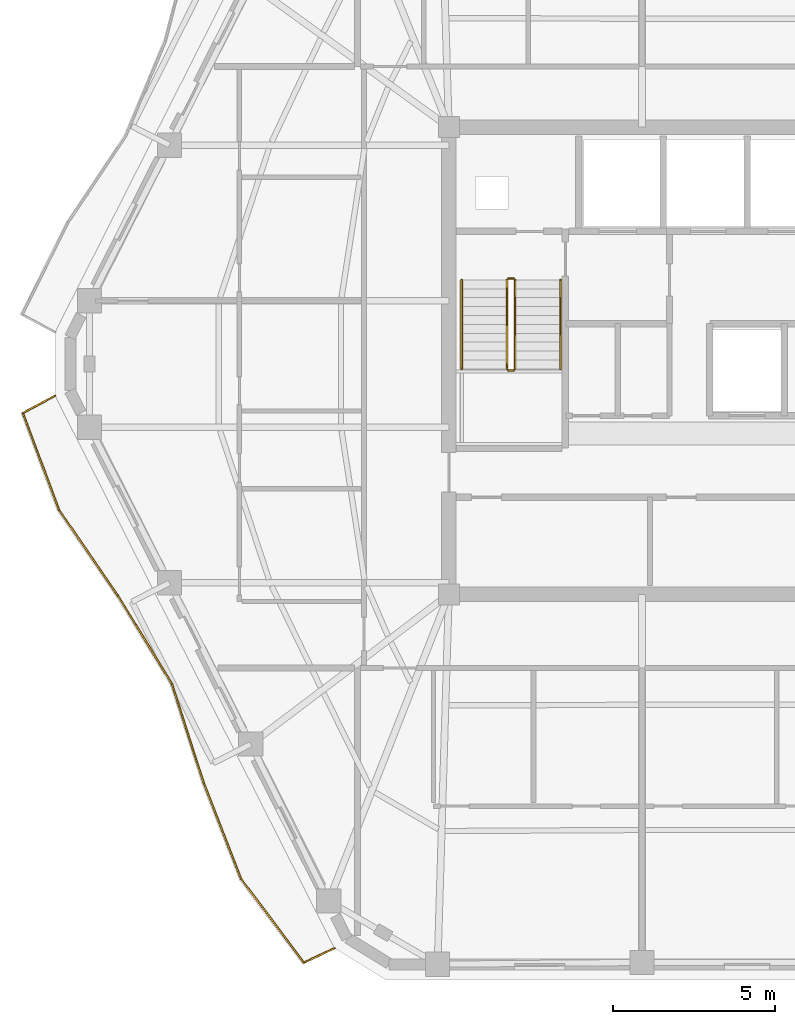
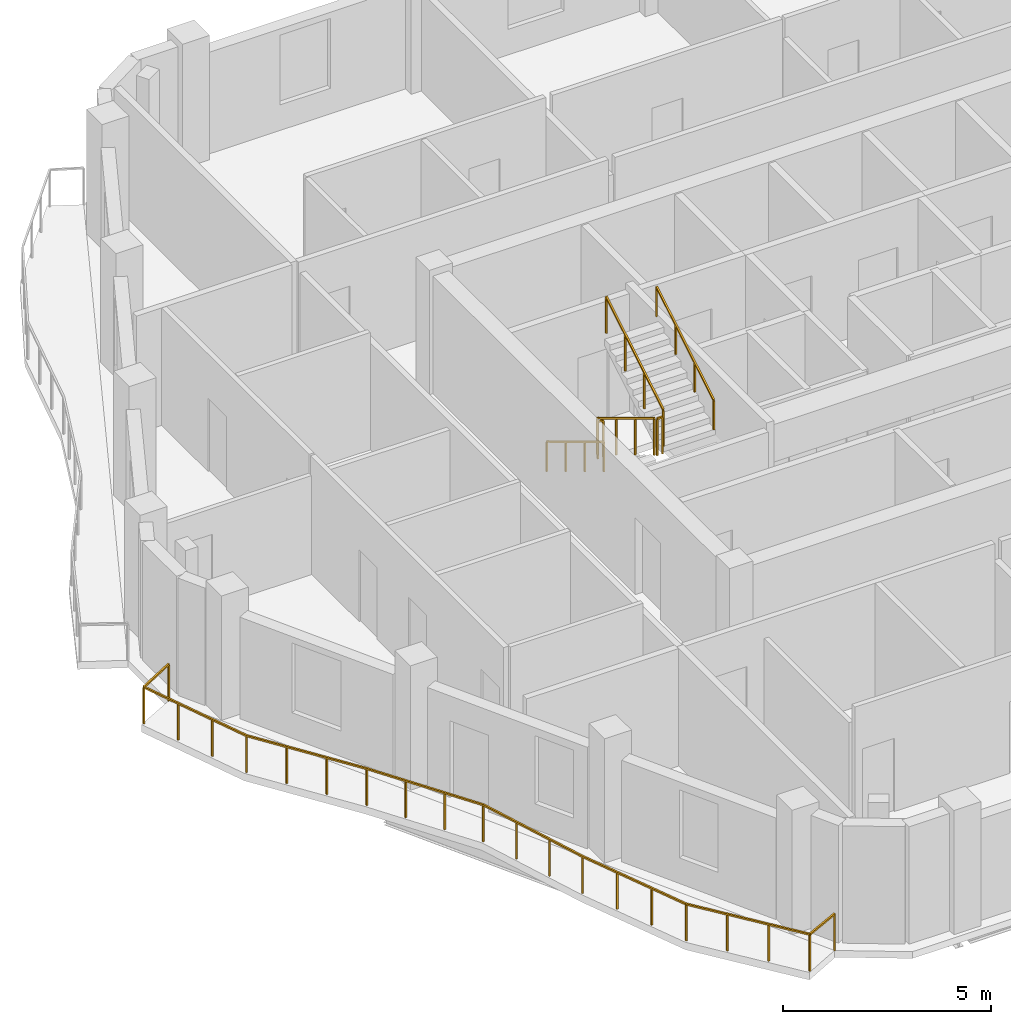
# One storey, part 9 of 12: 7 railings.
"""IFC4 building model written with IfcOpenShell, lengths in metres."""

from ifc_helpers import new_model, si_unit, direction, frame, origin, origin_2d, place, context, subcontext, project, spatial, rectangle, extrude, material, type_object, element, save


model = new_model("IFC4")

# Units and contexts
model_context = context("Model", 3, precision=1e-05, world=origin(), true_north=direction((0.0, 1.0)))
body_context = subcontext(model_context, "Body", "Model", "MODEL_VIEW")
ifc_project = project(units=[si_unit("LENGTHUNIT", "METRE"), si_unit("AREAUNIT", "SQUARE_METRE"), si_unit("VOLUMEUNIT", "CUBIC_METRE"), si_unit("PLANEANGLEUNIT", "RADIAN"), si_unit("MASSUNIT", "GRAM", prefix="KILO")], contexts=[model_context])

# Site, building, storey
site_placement = place(None, origin())
site = spatial("IfcSite", under=ifc_project, at=site_placement, CompositionType="ELEMENT")
building_placement = place(site_placement, origin())
building = spatial("IfcBuilding", under=site, at=building_placement, Name="Cinnabar Lancet Tower", CompositionType="ELEMENT")
storey_placement = place(building_placement, frame((0.0, 0.0, 237.949951171875)))
storey = spatial("IfcBuildingStorey", under=building, at=storey_placement, Name="L63", CompositionType="ELEMENT", Elevation=237.949951171875)

# Railings
ifc_material_1 = material(Name="Laminated safety glass and bronze stainless steel balustrade", Category="steel")
railing_type_1 = type_object("IfcRailingType", Name="ENV-RLG-BAL-1100", PredefinedType="BALUSTRADE", material=ifc_material_1)
railing_1_placement = place(storey_placement, frame((10.9970703125, 24.818115234375, 0.0)))
element("IfcRailing", 1, at=railing_1_placement, inside=storey, type_object=railing_type_1, Name="L63 Face 6 Wave Balcony Balustrade", PredefinedType="BALUSTRADE", context=body_context, shape_type="SweptSolid", body=[
    extrude(rectangle(XDim=0.048095703125, YDim=0.048095703125, at=origin_2d()), frame((0.0, 0.0, 1.076171875), z_axis=(-0.881248218897, -0.47265375984, 0.0), x_axis=(0.47265375984, -0.881248218897, 0.0)), (0.0, 0.0, 1.0), 1.128173828125),
    extrude(rectangle(XDim=0.048095703125, YDim=0.048095703125, at=origin_2d()), frame((-0.994140625, -0.533203125, 1.076171875), z_axis=(0.349250820679, -0.937029276093, 0.0), x_axis=(0.937029276093, 0.349250820679, 0.0)), (0.0, 0.0, 1.0), 3.20166015625),
    extrude(rectangle(XDim=0.048095703125, YDim=0.048095703125, at=origin_2d()), frame((0.1240234375, -3.533203125, 1.076171875), z_axis=(0.566122183007, -0.824321341412, 0.0), x_axis=(0.824321341412, 0.566122183007, 0.0)), (0.0, 0.0, 1.0), 3.211181640625),
    extrude(rectangle(XDim=0.048095703125, YDim=0.048095703125, at=origin_2d()), frame((1.94189453125, -6.18017578125, 1.076171875), z_axis=(0.523123608869, -0.85225682153, 0.0), x_axis=(0.85225682153, 0.523123608869, 0.0)), (0.0, 0.0, 1.0), 3.1904296875),
    extrude(rectangle(XDim=0.048095703125, YDim=0.048095703125, at=origin_2d()), frame((3.61083984375, -8.899169921875, 1.076171875), z_axis=(0.305268035903, -0.952266468094, 0.0), x_axis=(0.952266468094, 0.305268035903, 0.0)), (0.0, 0.0, 1.0), 3.220703125),
    extrude(rectangle(XDim=0.048095703125, YDim=0.048095703125, at=origin_2d()), frame((4.593994140625, -11.966064453125, 1.076171875), z_axis=(0.363094726832, -0.931752230664, 0.0), x_axis=(0.931752230664, 0.363094726832, 0.0)), (0.0, 0.0, 1.0), 3.197265625),
    extrude(rectangle(XDim=0.048095703125, YDim=0.048095703125, at=origin_2d()), frame((5.7548828125, -14.945068359375, 1.076171875), z_axis=(0.600821422893, -0.799383273401, 0.0), x_axis=(0.799383273401, 0.600821422893, 0.0)), (0.0, 0.0, 1.0), 3.232421875),
    extrude(rectangle(XDim=0.048095703125, YDim=0.048095703125, at=origin_2d()), frame((7.697021484375, -17.529052734375, 1.076171875), z_axis=(0.905464555659, 0.42442188733, 0.0), x_axis=(-0.42442188733, 0.905464555659, 0.0)), (0.0, 0.0, 1.0), 1.04345703125),
    extrude(rectangle(XDim=0.0419921875, YDim=0.0419921875, at=origin_2d()), origin(), (0.0, 0.0, 1.0), 1.052001953125),
    extrude(rectangle(XDim=0.0419921875, YDim=0.0419921875, at=origin_2d()), frame((-0.994140625, -0.533203125, 0.0)), (0.0, 0.0, 1.0), 1.052001953125),
    extrude(rectangle(XDim=0.0419921875, YDim=0.0419921875, at=origin_2d()), frame((-0.621337890625, -1.533203125, 0.0)), (0.0, 0.0, 1.0), 1.052001953125),
    extrude(rectangle(XDim=0.0419921875, YDim=0.0419921875, at=origin_2d()), frame((-0.248779296875, -2.533203125, 0.0)), (0.0, 0.0, 1.0), 1.052001953125),
    extrude(rectangle(XDim=0.0419921875, YDim=0.0419921875, at=origin_2d()), frame((0.1240234375, -3.533203125, 0.0)), (0.0, 0.0, 1.0), 1.052001953125),
    extrude(rectangle(XDim=0.0419921875, YDim=0.0419921875, at=origin_2d()), frame((0.72998046875, -4.41552734375, 0.0)), (0.0, 0.0, 1.0), 1.052001953125),
    extrude(rectangle(XDim=0.0419921875, YDim=0.0419921875, at=origin_2d()), frame((1.3359375, -5.2978515625, 0.0)), (0.0, 0.0, 1.0), 1.052001953125),
    extrude(rectangle(XDim=0.0419921875, YDim=0.0419921875, at=origin_2d()), frame((1.94189453125, -6.18017578125, 0.0)), (0.0, 0.0, 1.0), 1.052001953125),
    extrude(rectangle(XDim=0.0419921875, YDim=0.0419921875, at=origin_2d()), frame((2.498291015625, -7.08642578125, 0.0)), (0.0, 0.0, 1.0), 1.052001953125),
    extrude(rectangle(XDim=0.0419921875, YDim=0.0419921875, at=origin_2d()), frame((3.054443359375, -7.992919921875, 0.0)), (0.0, 0.0, 1.0), 1.052001953125),
    extrude(rectangle(XDim=0.0419921875, YDim=0.0419921875, at=origin_2d()), frame((3.61083984375, -8.899169921875, 0.0)), (0.0, 0.0, 1.0), 1.052001953125),
    extrude(rectangle(XDim=0.0419921875, YDim=0.0419921875, at=origin_2d()), frame((3.9384765625, -9.92138671875, 0.0)), (0.0, 0.0, 1.0), 1.052001953125),
    extrude(rectangle(XDim=0.0419921875, YDim=0.0419921875, at=origin_2d()), frame((4.266357421875, -10.94384765625, 0.0)), (0.0, 0.0, 1.0), 1.052001953125),
    extrude(rectangle(XDim=0.0419921875, YDim=0.0419921875, at=origin_2d()), frame((4.593994140625, -11.966064453125, 0.0)), (0.0, 0.0, 1.0), 1.052001953125),
    extrude(rectangle(XDim=0.0419921875, YDim=0.0419921875, at=origin_2d()), frame((4.98095703125, -12.958984375, 0.0)), (0.0, 0.0, 1.0), 1.052001953125),
    extrude(rectangle(XDim=0.0419921875, YDim=0.0419921875, at=origin_2d()), frame((5.367919921875, -13.9521484375, 0.0)), (0.0, 0.0, 1.0), 1.052001953125),
    extrude(rectangle(XDim=0.0419921875, YDim=0.0419921875, at=origin_2d()), frame((5.7548828125, -14.945068359375, 0.0)), (0.0, 0.0, 1.0), 1.052001953125),
    extrude(rectangle(XDim=0.0419921875, YDim=0.0419921875, at=origin_2d()), frame((6.40234375, -15.806396484375, 0.0)), (0.0, 0.0, 1.0), 1.052001953125),
    extrude(rectangle(XDim=0.0419921875, YDim=0.0419921875, at=origin_2d()), frame((7.049560546875, -16.667724609375, 0.0)), (0.0, 0.0, 1.0), 1.052001953125),
    extrude(rectangle(XDim=0.0419921875, YDim=0.0419921875, at=origin_2d()), frame((7.697021484375, -17.529052734375, 0.0)), (0.0, 0.0, 1.0), 1.052001953125),
    extrude(rectangle(XDim=0.0419921875, YDim=0.0419921875, at=origin_2d()), frame((8.641845703125, -17.086181640625, 0.0)), (0.0, 0.0, 1.0), 1.052001953125),
])
ifc_material_2 = material(Name="Painted galvanized steel balustrade", Category="steel")
railing_type_2 = type_object("IfcRailingType", Name="GUARD-STAIR", PredefinedType="GUARDRAIL", material=ifc_material_2)
railing_2_placement = place(storey_placement, frame((24.97509765625, 28.39990234375, 0.166015625)))
element("IfcRailing", 2, at=railing_2_placement, inside=storey, type_object=railing_type_2, Name="L63 ST-1 stair guard 1", PredefinedType="GUARDRAIL", context=body_context, shape_type="SweptSolid", body=[
    extrude(rectangle(XDim=0.048095703125, YDim=0.048095703125, at=origin_2d()), frame((0.0, 0.0, 1.076171875), z_axis=(0.0, -0.856263023582, 0.516540060834), x_axis=(1.0, 0.0, 0.0)), (0.0, 0.0, 1.0), 3.211669921875),
    extrude(rectangle(XDim=0.0419921875, YDim=0.0419921875, at=origin_2d()), origin(), (0.0, 0.0, 1.0), 1.052001953125),
    extrude(rectangle(XDim=0.0419921875, YDim=0.0419921875, at=origin_2d()), frame((0.0, -0.916748046875, 0.552978515625)), (0.0, 0.0, 1.0), 1.052001953125),
    extrude(rectangle(XDim=0.0419921875, YDim=0.0419921875, at=origin_2d()), frame((0.0, -1.833251953125, 1.10595703125)), (0.0, 0.0, 1.0), 1.052001953125),
    extrude(rectangle(XDim=0.0419921875, YDim=0.0419921875, at=origin_2d()), frame((0.0, -2.75, 1.658935546875)), (0.0, 0.0, 1.0), 1.052001953125),
])
railing_3_placement = place(storey_placement, frame((25.02490234375, 25.60009765625, 1.824951171875)))
element("IfcRailing", 3, at=railing_3_placement, inside=storey, type_object=railing_type_2, Name="L63 ST-1 stair guard 2", PredefinedType="GUARDRAIL", context=body_context, shape_type="SweptSolid", body=[
    extrude(rectangle(XDim=0.048095703125, YDim=0.048095703125, at=origin_2d()), frame((0.0, 0.0, 1.076171875), z_axis=(1.0, 0.0, 0.0), x_axis=(0.0, 1.0, 0.0)), (0.0, 0.0, 1.0), 0.150146484375),
    extrude(rectangle(XDim=0.0419921875, YDim=0.0419921875, at=origin_2d()), origin(), (0.0, 0.0, 1.0), 1.052001953125),
    extrude(rectangle(XDim=0.0419921875, YDim=0.0419921875, at=origin_2d()), frame((0.150146484375, 0.0, 0.0)), (0.0, 0.0, 1.0), 1.052001953125),
])
railing_4_placement = place(storey_placement, frame((25.22509765625, 25.64990234375, 1.990966796875)))
element("IfcRailing", 4, at=railing_4_placement, inside=storey, type_object=railing_type_2, Name="L63 ST-1 stair guard 3", PredefinedType="GUARDRAIL", context=body_context, shape_type="SweptSolid", body=[
    extrude(rectangle(XDim=0.048095703125, YDim=0.048095703125, at=origin_2d()), frame((0.0, 0.0, 1.076171875), z_axis=(0.0, 0.856229400918, 0.51659579267), x_axis=(-1.0, 0.0, 0.0)), (0.0, 0.0, 1.0), 3.211669921875),
    extrude(rectangle(XDim=0.0419921875, YDim=0.0419921875, at=origin_2d()), origin(), (0.0, 0.0, 1.0), 1.052001953125),
    extrude(rectangle(XDim=0.0419921875, YDim=0.0419921875, at=origin_2d()), frame((0.0, 0.916748046875, 0.552978515625)), (0.0, 0.0, 1.0), 1.052001953125),
    extrude(rectangle(XDim=0.0419921875, YDim=0.0419921875, at=origin_2d()), frame((0.0, 1.833251953125, 1.106201171875)), (0.0, 0.0, 1.0), 1.052001953125),
    extrude(rectangle(XDim=0.0419921875, YDim=0.0419921875, at=origin_2d()), frame((0.0, 2.75, 1.6591796875)), (0.0, 0.0, 1.0), 1.052001953125),
])
railing_5_placement = place(storey_placement, frame((25.02490234375, 28.449951171875, 0.0)))
element("IfcRailing", 5, at=railing_5_placement, inside=storey, type_object=railing_type_2, Name="L63 ST-1 stair guard 4", PredefinedType="GUARDRAIL", context=body_context, shape_type="SweptSolid", body=[
    extrude(rectangle(XDim=0.048095703125, YDim=0.048095703125, at=origin_2d()), frame((0.0, 0.0, 1.076171875), z_axis=(1.0, 0.0, 0.0), x_axis=(0.0, 1.0, 0.0)), (0.0, 0.0, 1.0), 0.150146484375),
    extrude(rectangle(XDim=0.0419921875, YDim=0.0419921875, at=origin_2d()), origin(), (0.0, 0.0, 1.0), 1.052001953125),
    extrude(rectangle(XDim=0.0419921875, YDim=0.0419921875, at=origin_2d()), frame((0.150146484375, 0.0, 0.0)), (0.0, 0.0, 1.0), 1.052001953125),
])
ifc_material_3 = material(Name="Brushed stainless steel handrail", Category="steel")
railing_type_3 = type_object("IfcRailingType", Name="HANDRAIL-STAIR", PredefinedType="HANDRAIL", material=ifc_material_3)
railing_6_placement = place(storey_placement, frame((23.574951171875, 28.39990234375, 0.166015625)))
element("IfcRailing", 6, at=railing_6_placement, inside=storey, type_object=railing_type_3, Name="L63 ST-1 stair handrail 1", PredefinedType="HANDRAIL", context=body_context, shape_type="SweptSolid", body=[
    extrude(rectangle(XDim=0.048095703125, YDim=0.048095703125, at=origin_2d()), frame((0.0, 0.0, 0.8759765625), z_axis=(0.0, -0.856263023582, 0.516540060834), x_axis=(1.0, 0.0, 0.0)), (0.0, 0.0, 1.0), 3.211669921875),
    extrude(rectangle(XDim=0.0419921875, YDim=0.0419921875, at=origin_2d()), origin(), (0.0, 0.0, 1.0), 0.851806640625),
    extrude(rectangle(XDim=0.0419921875, YDim=0.0419921875, at=origin_2d()), frame((0.0, -0.916748046875, 0.552978515625)), (0.0, 0.0, 1.0), 0.851806640625),
    extrude(rectangle(XDim=0.0419921875, YDim=0.0419921875, at=origin_2d()), frame((0.0, -1.833251953125, 1.10595703125)), (0.0, 0.0, 1.0), 0.851806640625),
    extrude(rectangle(XDim=0.0419921875, YDim=0.0419921875, at=origin_2d()), frame((0.0, -2.75, 1.658935546875)), (0.0, 0.0, 1.0), 0.851806640625),
])
railing_7_placement = place(storey_placement, frame((26.625, 25.64990234375, 1.990966796875)))
element("IfcRailing", 7, at=railing_7_placement, inside=storey, type_object=railing_type_3, Name="L63 ST-1 stair handrail 2", PredefinedType="HANDRAIL", context=body_context, shape_type="SweptSolid", body=[
    extrude(rectangle(XDim=0.048095703125, YDim=0.048095703125, at=origin_2d()), frame((0.0, 0.0, 0.8759765625), z_axis=(0.0, 0.856229400918, 0.51659579267), x_axis=(-1.0, 0.0, 0.0)), (0.0, 0.0, 1.0), 3.211669921875),
    extrude(rectangle(XDim=0.0419921875, YDim=0.0419921875, at=origin_2d()), origin(), (0.0, 0.0, 1.0), 0.851806640625),
    extrude(rectangle(XDim=0.0419921875, YDim=0.0419921875, at=origin_2d()), frame((0.0, 0.916748046875, 0.552978515625)), (0.0, 0.0, 1.0), 0.851806640625),
    extrude(rectangle(XDim=0.0419921875, YDim=0.0419921875, at=origin_2d()), frame((0.0, 1.833251953125, 1.106201171875)), (0.0, 0.0, 1.0), 0.851806640625),
    extrude(rectangle(XDim=0.0419921875, YDim=0.0419921875, at=origin_2d()), frame((0.0, 2.75, 1.6591796875)), (0.0, 0.0, 1.0), 0.851806640625),
])

save(model, "model.ifc")
